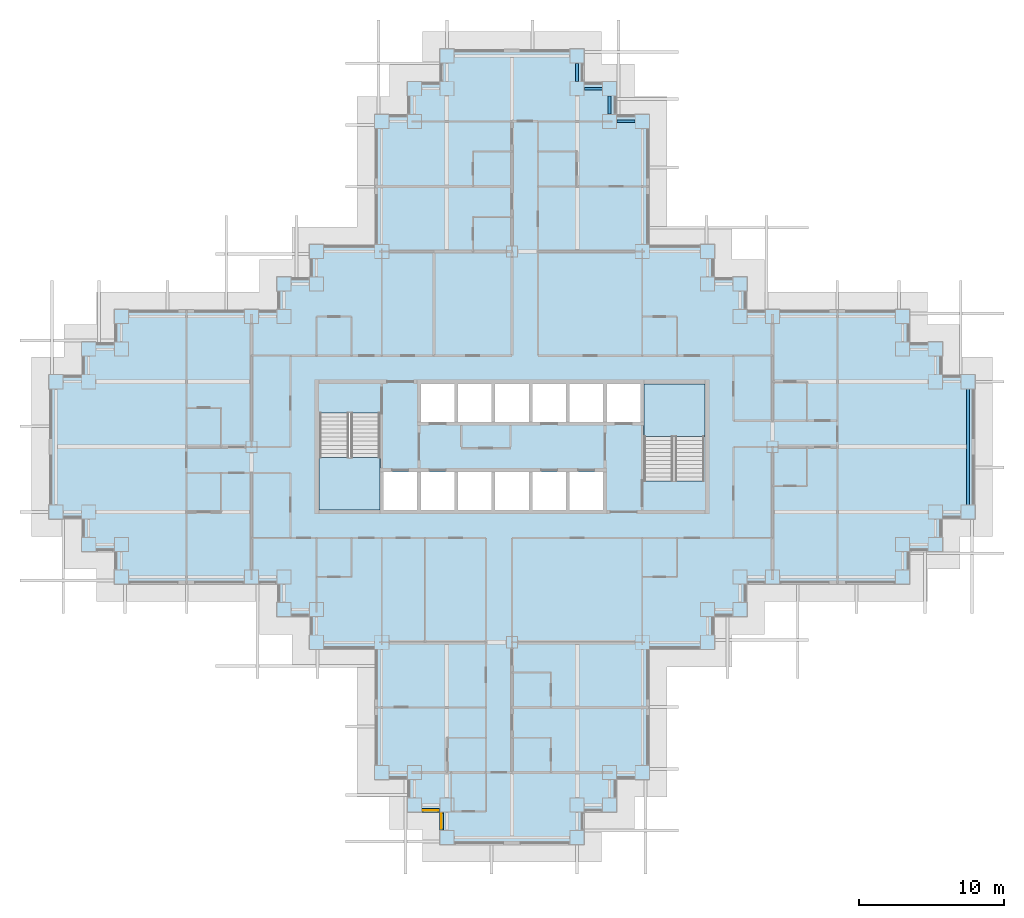
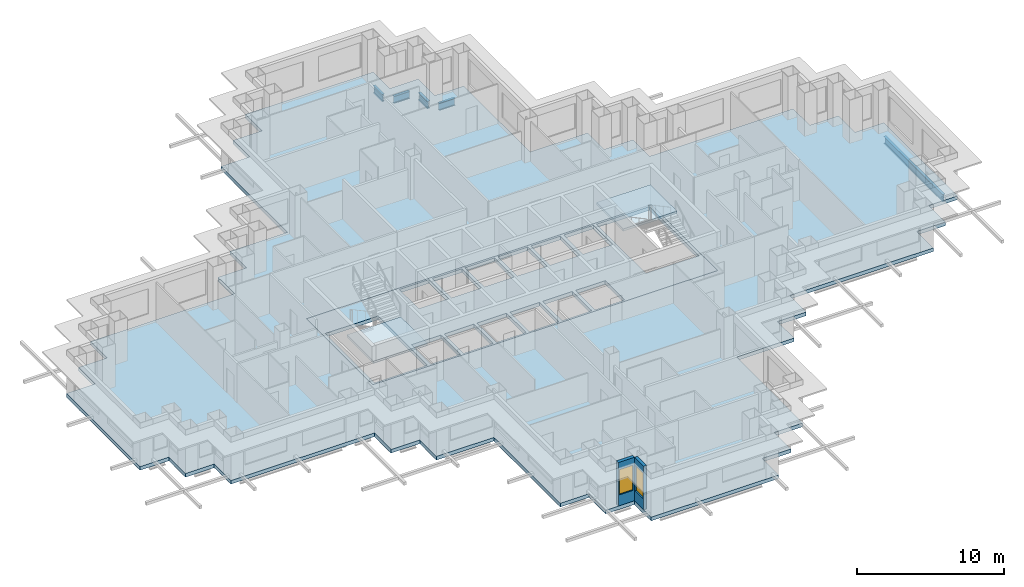
# One storey, part 2 of 15: 5 beams, 4 slabs, 2 walls, 2 windows, 2 openings, 2 elements without a shape of their own.
"""IFC4 building model written with IfcOpenShell, lengths in metres."""

from ifc_helpers import new_model, si_unit, direction, frame, frame_2d, origin, origin_2d, place, context, subcontext, project, spatial, polyline, rectangle, i_section, outline, extrude, material, layer, layer_set, material_profile, profile_set, type_object, element, fill, aggregate, save


model = new_model("IFC4")

# Units and contexts
model_context = context("Model", 3, precision=1e-05, world=origin(), true_north=direction((0.0, 1.0)))
body_context = subcontext(model_context, "Body", "Model", "MODEL_VIEW")
ifc_project = project(units=[si_unit("LENGTHUNIT", "METRE"), si_unit("AREAUNIT", "SQUARE_METRE"), si_unit("VOLUMEUNIT", "CUBIC_METRE"), si_unit("PLANEANGLEUNIT", "RADIAN"), si_unit("MASSUNIT", "GRAM", prefix="KILO")], contexts=[model_context])

# Site, building, storey
site_placement = place(None, origin())
site = spatial("IfcSite", under=ifc_project, at=site_placement, CompositionType="ELEMENT")
building_placement = place(site_placement, origin())
building = spatial("IfcBuilding", under=site, at=building_placement, Name="Caravel Reach Hotel and Residences", CompositionType="ELEMENT")
storey_placement = place(building_placement, frame((0.0, 0.0, 70.800048828125)))
storey = spatial("IfcBuildingStorey", under=building, at=storey_placement, Name="L16", CompositionType="ELEMENT", Elevation=70.800048828125)

# Beams
ifc_material_1 = material(Name="Structural steel Q355B", Category="steel")
ifc_material_profile = material_profile(ifc_material_1, i_section(OverallWidth=0.199951171875, OverallDepth=0.60009765625, WebThickness=0.010986328125, FlangeThickness=0.01708984375, FilletRadius=0.012939453125, at=origin_2d()), Name="HN 600x200x11x17")
ifc_profile_set = profile_set([ifc_material_profile], Name="Structural steel Q355B")
beam_type = type_object("IfcBeamType", Name="Spandrel beam HN 600x200x11x17", PredefinedType="SPANDREL", material=ifc_profile_set)
beam_placement = place(storey_placement, frame((63.0, 23.0, -0.60009765625), z_axis=(0.0, 1.0, 0.0), x_axis=(-1.0, 0.0, 0.0)))
element("IfcBeam", 1, at=beam_placement, inside=storey, type_object=beam_type, Name="SP1 HN 600x200x11x17", PredefinedType="SPANDREL", context=body_context, shape_type="SweptSolid", body=[
    extrude(i_section(OverallWidth=0.199951171875, OverallDepth=0.60009765625, WebThickness=0.010986328125, FlangeThickness=0.01708984375, FilletRadius=0.012939453125, at=origin_2d()), origin(), (0.0, 0.0, 1.0), 8.0),
])
for number, where, z_axis, x_axis, name in (
    (2, (40.0, 49.5, -0.60009765625), (-1.0, 0.0, 0.0), (0.0, -1.0, 0.0), "SP1 HN 600x200x11x17"),
    (3, (38.25, 50.0, -0.60009765625), (0.0, 1.0, 0.0), (-1.0, 0.0, 0.0), "SP1 HN 600x200x11x17"),
    (4, (37.75, 51.75, -0.60009765625), (-1.0, 0.0, 0.0), (0.0, -1.0, 0.0), "SP1 HN 600x200x11x17"),
    (5, (36.0, 52.25, -0.60009765625), (0.0, 1.0, 0.0), (-1.0, 0.0, 0.0), "SP1 HN 600x200x11x17"),
):
    element("IfcBeam", number, at=place(storey_placement, frame(where, z_axis=z_axis, x_axis=x_axis)), inside=storey, type_object=beam_type, Name=name, PredefinedType="SPANDREL", context=body_context, shape_type="SweptSolid", body=[
        extrude(i_section(OverallWidth=0.199951171875, OverallDepth=0.60009765625, WebThickness=0.010986328125, FlangeThickness=0.01708984375, FilletRadius=0.012939453125, at=origin_2d()), origin(), (0.0, 0.0, 1.0), 1.25),
    ])

# Slab
ifc_material_2 = material(Name="Concrete C40", Category="concrete")
ifc_layer_1 = layer(ifc_material_2, 0.300048828125)
ifc_layer_set_1 = layer_set([ifc_layer_1], Name="Core floor slab 300 mm")
slab_type_1 = type_object("IfcSlabType", Name="Core floor slab 300 mm", PredefinedType="FLOOR", material=ifc_layer_set_1)
slab_1_placement = place(storey_placement, frame((0.0, 0.0, -0.300048828125)))
element("IfcSlab", 6, at=slab_1_placement, inside=storey, type_object=slab_type_1, Name="L16 core floor", PredefinedType="FLOOR", context=body_context, shape_type="SweptSolid", body=[
    extrude(outline(polyline([(18.0, 31.5), (45.0, 31.5), (45.0, 22.5), (18.0, 22.5), (18.0, 31.5)]), holes=[polyline([(22.625, 25.27490234375), (22.625, 22.64990234375), (24.9462890625, 22.64990234375), (24.9462890625, 25.27490234375), (22.625, 25.27490234375)]), polyline([(27.517822265625, 25.27490234375), (25.1962890625, 25.27490234375), (25.1962890625, 22.64990234375), (27.517822265625, 22.64990234375), (27.517822265625, 25.27490234375)]), polyline([(30.08935546875, 25.27490234375), (27.767822265625, 25.27490234375), (27.767822265625, 22.64990234375), (30.08935546875, 22.64990234375), (30.08935546875, 25.27490234375)]), polyline([(32.66064453125, 25.27490234375), (30.33935546875, 25.27490234375), (30.33935546875, 22.64990234375), (32.66064453125, 22.64990234375), (32.66064453125, 25.27490234375)]), polyline([(18.22509765625, 22.64990234375), (22.375, 22.64990234375), (22.375, 29.35009765625), (18.22509765625, 29.35009765625), (18.22509765625, 22.64990234375)]), polyline([(27.517822265625, 31.35009765625), (25.1962890625, 31.35009765625), (25.1962890625, 28.72509765625), (27.517822265625, 28.72509765625), (27.517822265625, 31.35009765625)]), polyline([(30.08935546875, 31.35009765625), (27.767822265625, 31.35009765625), (27.767822265625, 28.72509765625), (30.08935546875, 28.72509765625), (30.08935546875, 31.35009765625)]), polyline([(32.91064453125, 25.27490234375), (32.91064453125, 22.64990234375), (35.232177734375, 22.64990234375), (35.232177734375, 25.27490234375), (32.91064453125, 25.27490234375)]), polyline([(37.8037109375, 25.27490234375), (35.482177734375, 25.27490234375), (35.482177734375, 22.64990234375), (37.8037109375, 22.64990234375), (37.8037109375, 25.27490234375)]), polyline([(44.77490234375, 31.35009765625), (40.625, 31.35009765625), (40.625, 24.64990234375), (44.77490234375, 24.64990234375), (44.77490234375, 31.35009765625)]), polyline([(32.66064453125, 31.35009765625), (30.33935546875, 31.35009765625), (30.33935546875, 28.72509765625), (32.66064453125, 28.72509765625), (32.66064453125, 31.35009765625)]), polyline([(35.232177734375, 31.35009765625), (32.91064453125, 31.35009765625), (32.91064453125, 28.72509765625), (35.232177734375, 28.72509765625), (35.232177734375, 31.35009765625)]), polyline([(37.8037109375, 31.35009765625), (35.482177734375, 31.35009765625), (35.482177734375, 28.72509765625), (37.8037109375, 28.72509765625), (37.8037109375, 31.35009765625)]), polyline([(40.375, 31.35009765625), (38.0537109375, 31.35009765625), (38.0537109375, 28.72509765625), (40.375, 28.72509765625), (40.375, 31.35009765625)])]), origin(), (0.0, 0.0, 1.0), 0.300048828125),
])

# Stair, slab
ifc_material_3 = material(Name="Concrete C40", Category="concrete")
stair_type = type_object("IfcStairType", Name="Core stair", PredefinedType="HALF_TURN_STAIR", material=ifc_material_3)
stair_1_placement = place(storey_placement, origin())
stair_1 = element("IfcStair", 7, at=stair_1_placement, inside=storey, type_object=stair_type, Name="L16 Exit stair A", PredefinedType="HALF_TURN_STAIR")
ifc_material_4 = material(Name="Concrete C40", Category="concrete")
ifc_layer_2 = layer(ifc_material_4, 0.199951171875)
ifc_layer_set_2 = layer_set([ifc_layer_2], Name="Core stair landing")
slab_type_2 = type_object("IfcSlabType", Name="Core stair landing", PredefinedType="LANDING", material=ifc_layer_set_2)
slab_2_placement = place(storey_placement, frame((0.0, 0.0, 1.599853515625)))
slab_2 = element("IfcSlab", 8, at=slab_2_placement, type_object=slab_type_2, Name="ST-A landing 1", PredefinedType="LANDING", context=body_context, shape_type="SweptSolid", body=[
    extrude(outline(polyline([(18.14990234375, 26.27001953125), (18.14990234375, 22.64990234375), (22.375, 22.64990234375), (22.375, 26.27001953125), (18.14990234375, 26.27001953125)])), origin(), (0.0, 0.0, 1.0), 0.2001953125),
])
aggregate(stair_1, [slab_2])

stair_2_placement = place(storey_placement, origin())
stair_2 = element("IfcStair", 9, at=stair_2_placement, inside=storey, type_object=stair_type, Name="L16 Exit stair B", PredefinedType="HALF_TURN_STAIR")
slab_3_placement = place(storey_placement, frame((0.0, 0.0, 1.599853515625)))
slab_3 = element("IfcSlab", 10, at=slab_3_placement, type_object=slab_type_2, Name="ST-B landing 1", PredefinedType="LANDING", context=body_context, shape_type="SweptSolid", body=[
    extrude(outline(polyline([(44.85009765625, 27.72998046875), (44.85009765625, 31.35009765625), (40.625, 31.35009765625), (40.625, 27.72998046875), (44.85009765625, 27.72998046875)])), origin(), (0.0, 0.0, 1.0), 0.2001953125),
])
aggregate(stair_2, [slab_3])

# Slab
ifc_material_5 = material(Name="Concrete C40 post-tensioned", Category="concrete")
ifc_layer_3 = layer(ifc_material_5, 0.300048828125)
ifc_layer_set_3 = layer_set([ifc_layer_3], Name="Floor slab 300")
slab_type_3 = type_object("IfcSlabType", Name="Floor slab 300", PredefinedType="FLOOR", material=ifc_layer_set_3)
slab_4_placement = place(storey_placement, frame((0.0, 0.0, -0.300048828125)))
element("IfcSlab", 11, at=slab_4_placement, inside=storey, type_object=slab_type_3, Name="S2 slab L16", PredefinedType="FLOOR", context=body_context, shape_type="SweptSolid", body=[
    extrude(outline(polyline([(17.5, 13.0), (17.5, 15.25), (15.25, 15.25), (15.25, 17.5), (4.0, 17.5), (4.0, 19.75), (1.75, 19.75), (1.75, 22.0), (-0.5, 22.0), (-0.5, 32.0), (1.75, 32.0), (1.75, 34.25), (4.0, 34.25), (4.0, 36.5), (15.25, 36.5), (15.25, 38.75), (17.5, 38.75), (17.5, 41.0), (22.0, 41.0), (22.0, 50.0), (24.25, 50.0), (24.25, 52.25), (26.5, 52.25), (26.5, 54.5), (36.5, 54.5), (36.5, 52.25), (38.75, 52.25), (38.75, 50.0), (41.0, 50.0), (41.0, 41.0), (45.5, 41.0), (45.5, 38.75), (47.75, 38.75), (47.75, 36.5), (59.0, 36.5), (59.0, 34.25), (61.25, 34.25), (61.25, 32.0), (63.5, 32.0), (63.5, 22.0), (61.25, 22.0), (61.25, 19.75), (59.0, 19.75), (59.0, 17.5), (47.75, 17.5), (47.75, 15.25), (45.5, 15.25), (45.5, 13.0), (41.0, 13.0), (41.0, 4.0), (38.75, 4.0), (38.75, 1.75), (36.5, 1.75), (36.5, -0.5), (26.5, -0.5), (26.5, 1.75), (24.25, 1.75), (24.25, 4.0), (22.0, 4.0), (22.0, 13.0), (17.5, 13.0)]), holes=[polyline([(45.0, 31.5), (18.0, 31.5), (18.0, 22.5), (45.0, 22.5), (45.0, 31.5)])]), origin(), (0.0, 0.0, 1.0), 0.300048828125),
])

# Wall, opening, window
ifc_material_6 = material(Name="Insulated rainscreen wall, aluminium cladding", Category="aluminium")
ifc_layer_4 = layer(ifc_material_6, 0.25)
ifc_layer_set_4 = layer_set([ifc_layer_4], Name="EW1 Tower rainscreen wall")
wall_type = type_object("IfcWallType", Name="EW1 Tower rainscreen wall", PredefinedType="SOLIDWALL", material=ifc_layer_set_4)
wall_1_placement = place(storey_placement, frame((25.25, 1.875, 0.0), z_axis=(0.0, 0.0, 1.0), x_axis=(1.0, 0.0, 0.0)))
wall_1 = element("IfcWall", 12, at=wall_1_placement, inside=storey, type_object=wall_type, Name="External wall L16 S3.1", PredefinedType="SOLIDWALL", context=body_context, shape_type="SweptSolid", body=[
    extrude(rectangle(XDim=1.25, YDim=0.25, at=frame_2d((0.625, 0.0))), origin(), (0.0, 0.0, 1.0), 3.599853515625),
])
opening_1_placement = place(wall_1_placement, frame((0.10009765625, 0.0, 0.89990234375)))
opening_1 = element("IfcOpeningElement", 13, at=opening_1_placement, cuts=wall_1, Name="Opening WN3", PredefinedType="OPENING", context=body_context, shape_type="SweptSolid", body=[
    extrude(rectangle(XDim=1.050048828125, YDim=2.080078125, at=frame_2d((0.52490234375, 1.0400390625))), frame((0.0, 0.135009765625, 0.0), z_axis=(0.0, -1.0, 0.0), x_axis=(1.0, 0.0, 0.0)), (0.0, 0.0, 1.0), 0.27001953125),
])
ifc_material_7 = material(Name="Dark low-e glazing in black aluminium frame", Category="aluminium")
window_type = type_object("IfcWindowType", Name="Hotel suite corner window 1050 x 2080", PartitioningType="SINGLE_PANEL", PredefinedType="WINDOW", material=ifc_material_7)
window_1_placement = place(opening_1_placement, origin())
window_1 = element("IfcWindow", 14, at=window_1_placement, inside=storey, type_object=window_type, Name="Window L16 S3.1.1", OverallHeight=2.080078125, OverallWidth=1.050048828125, PartitioningType="SINGLE_PANEL", PredefinedType="WINDOW", context=body_context, shape_type="SweptSolid", body=[
    extrude(rectangle(XDim=1.050048828125, YDim=2.080078125, at=frame_2d((0.52490234375, 1.0400390625))), frame((0.0, 0.030029296875, 0.0), z_axis=(0.0, -1.0, 0.0), x_axis=(1.0, 0.0, 0.0)), (0.0, 0.0, 1.0), 0.06005859375),
])
fill(opening_1, window_1)

wall_2_placement = place(storey_placement, frame((26.625, 1.75, 0.0), z_axis=(0.0, 0.0, 1.0), x_axis=(0.0, -1.0, 0.0)))
wall_2 = element("IfcWall", 15, at=wall_2_placement, inside=storey, type_object=wall_type, Name="External wall L16 W4.1", PredefinedType="SOLIDWALL", context=body_context, shape_type="SweptSolid", body=[
    extrude(rectangle(XDim=1.25, YDim=0.25, at=frame_2d((0.625, 0.0))), origin(), (0.0, 0.0, 1.0), 3.599853515625),
])
opening_2_placement = place(wall_2_placement, frame((0.10009765625, 0.0, 0.89990234375)))
opening_2 = element("IfcOpeningElement", 16, at=opening_2_placement, cuts=wall_2, Name="Opening WN3", PredefinedType="OPENING", context=body_context, shape_type="SweptSolid", body=[
    extrude(rectangle(XDim=1.050048828125, YDim=2.080078125, at=frame_2d((0.52490234375, 1.0400390625))), frame((0.0, 0.135009765625, 0.0), z_axis=(0.0, -1.0, 0.0), x_axis=(1.0, 0.0, 0.0)), (0.0, 0.0, 1.0), 0.27001953125),
])
window_2_placement = place(opening_2_placement, origin())
window_2 = element("IfcWindow", 17, at=window_2_placement, inside=storey, type_object=window_type, Name="Window L16 W4.1.1", OverallHeight=2.080078125, OverallWidth=1.050048828125, PartitioningType="SINGLE_PANEL", PredefinedType="WINDOW", context=body_context, shape_type="SweptSolid", body=[
    extrude(rectangle(XDim=1.050048828125, YDim=2.080078125, at=frame_2d((0.52490234375, 1.0400390625))), frame((0.0, 0.030029296875, 0.0), z_axis=(0.0, -1.0, 0.0), x_axis=(1.0, 0.0, 0.0)), (0.0, 0.0, 1.0), 0.06005859375),
])
fill(opening_2, window_2)

save(model, "model.ifc")
